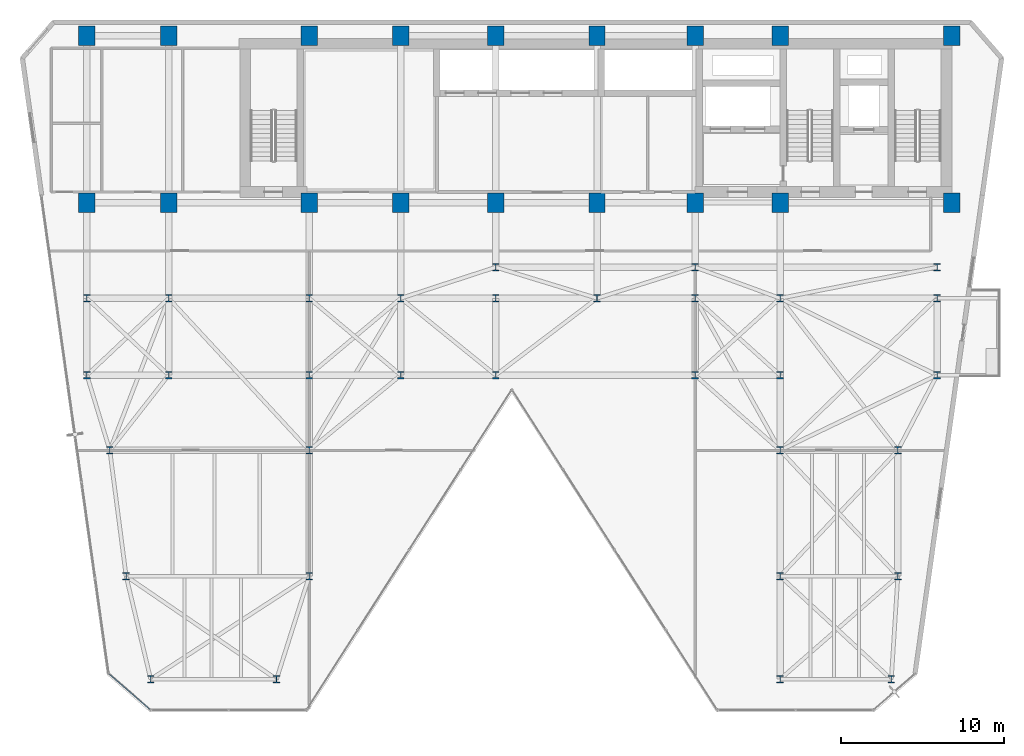
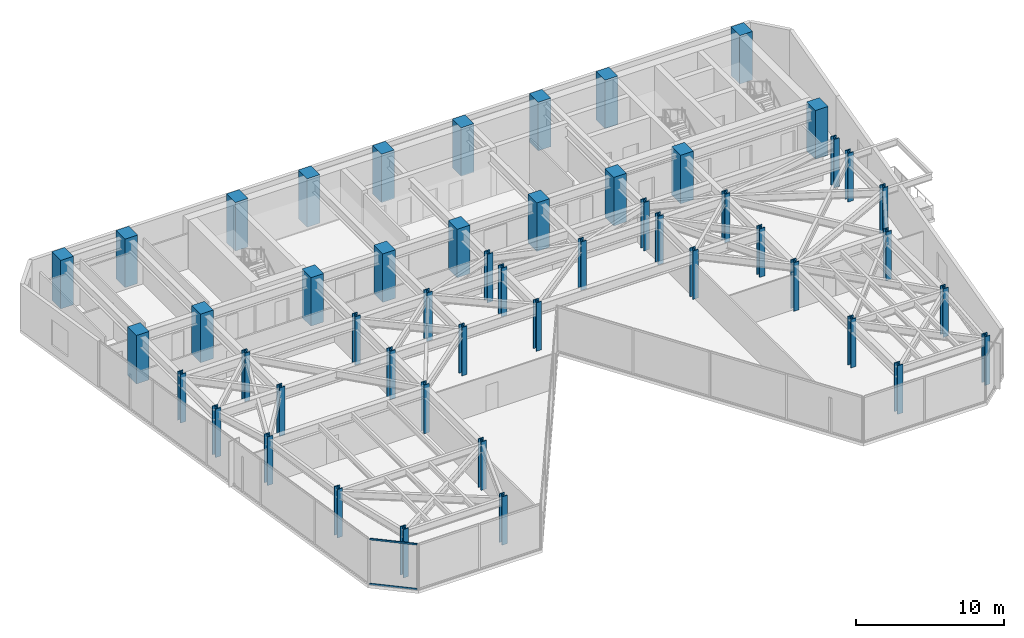
# One storey, part 1 of 26: 50 columns, 2 members, 1 element without a shape of its own.
"""IFC4 building model written with IfcOpenShell, lengths in metres."""

from ifc_helpers import new_model, si_unit, direction, frame, origin, origin_2d, place, context, subcontext, project, spatial, rectangle, hollow_rectangle, i_section, extrude, material, layer, layer_set, material_profile, profile_set, type_object, element, aggregate, save


model = new_model("IFC4")

# Units and contexts
model_context = context("Model", 3, precision=1e-05, world=origin(), true_north=direction((0.0, 1.0)))
body_context = subcontext(model_context, "Body", "Model", "MODEL_VIEW")
ifc_project = project(units=[si_unit("LENGTHUNIT", "METRE"), si_unit("AREAUNIT", "SQUARE_METRE"), si_unit("VOLUMEUNIT", "CUBIC_METRE"), si_unit("PLANEANGLEUNIT", "RADIAN"), si_unit("MASSUNIT", "GRAM", prefix="KILO")], contexts=[model_context])

# Site, building, storey
site_placement = place(None, origin())
site = spatial("IfcSite", under=ifc_project, at=site_placement, CompositionType="ELEMENT")
building_placement = place(site_placement, origin())
building = spatial("IfcBuilding", under=site, at=building_placement, Name="Kravanh Interchange Tower", CompositionType="ELEMENT")
storey_placement = place(building_placement, frame((0.0, 0.0, 148.0)))
storey = spatial("IfcBuildingStorey", under=building, at=storey_placement, Name="L35", CompositionType="ELEMENT", Elevation=148.0)

# Columns
ifc_material_1 = material(Name="Concrete C70/85", Category="concrete")
ifc_material_profile_1 = material_profile(ifc_material_1, rectangle(XDim=1.0, YDim=1.199951171875, at=origin_2d()), Name="RC1000X1200")
ifc_profile_set_1 = profile_set([ifc_material_profile_1], Name="Concrete C70/85")
column_type_1 = type_object("IfcColumnType", Name="Column RC1000X1200 Concrete C70/85", PredefinedType="COLUMN", material=ifc_profile_set_1)
for number, where, z_axis, x_axis, name in (
    (1, (66.5, 47.550048828125, 0.0), (0.0, 0.0, 1.0), (1.0, 0.0, 0.0), "L35 Column CS01"),
    (2, (56.0, 47.550048828125, 0.0), (0.0, 0.0, 1.0), (1.0, 0.0, 0.0), "L35 Column CS02"),
    (3, (66.5, 37.35009765625, 0.0), (0.0, 0.0, 1.0), (1.0, 0.0, 0.0), "L35 Column CS03"),
    (4, (56.0, 37.35009765625, 0.0), (0.0, 0.0, 1.0), (1.0, 0.0, 0.0), "L35 Column CS04"),
    (5, (50.800048828125, 47.550048828125, 0.0), (0.0, 0.0, 1.0), (1.0, 0.0, 0.0), "L35 Column CS05"),
    (6, (50.800048828125, 37.35009765625, 0.0), (0.0, 0.0, 1.0), (1.0, 0.0, 0.0), "L35 Column CS06"),
    (7, (44.800048828125, 37.35009765625, 0.0), (0.0, 0.0, 1.0), (1.0, 0.0, 0.0), "L35 Column CS07"),
    (8, (44.800048828125, 47.550048828125, 0.0), (0.0, 0.0, 1.0), (1.0, 0.0, 0.0), "L35 Column CS08"),
    (9, (38.60009765625, 37.35009765625, 0.0), (0.0, 0.0, 1.0), (1.0, 0.0, 0.0), "L35 Column CS09"),
    (10, (38.60009765625, 47.550048828125, 0.0), (0.0, 0.0, 1.0), (1.0, 0.0, 0.0), "L35 Column CS10"),
    (11, (32.800048828125, 37.35009765625, 0.0), (0.0, 0.0, 1.0), (1.0, 0.0, 0.0), "L35 Column CS11"),
    (12, (32.800048828125, 47.550048828125, 0.0), (0.0, 0.0, 1.0), (1.0, 0.0, 0.0), "L35 Column CS12"),
    (13, (27.199951171875, 37.35009765625, 0.0), (0.0, 0.0, 1.0), (1.0, 0.0, 0.0), "L35 Column CS13"),
    (14, (27.199951171875, 47.550048828125, 0.0), (0.0, 0.0, 1.0), (1.0, 0.0, 0.0), "L35 Column CS14"),
    (15, (18.60009765625, 37.35009765625, 0.0), (0.0, 0.0, 1.0), (1.0, 0.0, 0.0), "L35 Column CS17"),
    (16, (18.60009765625, 47.550048828125, 0.0), (0.0, 0.0, 1.0), (1.0, 0.0, 0.0), "L35 Column CS18"),
    (17, (13.60009765625, 37.35009765625, 0.0), (0.0, 0.0, 1.0), (1.0, 0.0, 0.0), "L35 Column CS19"),
    (18, (13.60009765625, 47.550048828125, 0.0), (0.0, 0.0, 1.0), (1.0, 0.0, 0.0), "L35 Column CS20"),
):
    element("IfcColumn", number, at=place(storey_placement, frame(where, z_axis=z_axis, x_axis=x_axis)), inside=storey, type_object=column_type_1, Name=name, PredefinedType="COLUMN", context=body_context, shape_type="SweptSolid", body=[
        extrude(rectangle(XDim=1.0, YDim=1.199951171875, at=origin_2d()), origin(), (0.0, 0.0, 1.0), 4.0),
    ])
ifc_material_2 = material(Name="Structural Steel S355", Category="steel")
ifc_material_profile_2 = material_profile(ifc_material_2, i_section(OverallWidth=0.416015625, OverallDepth=0.446044921875, WebThickness=0.0390625, FlangeThickness=0.062744140625, FilletRadius=0.030029296875, at=origin_2d()), Name="W14X342")
ifc_profile_set_2 = profile_set([ifc_material_profile_2], Name="Structural Steel S355")
column_type_2 = type_object("IfcColumnType", Name="Column W14X342 Structural Steel S355", PredefinedType="COLUMN", material=ifc_profile_set_2)
for number, where, z_axis, x_axis, name in (
    (19, (17.5, 8.199951171875, 0.0), (0.0, 0.0, 1.0), (1.0, 0.0, 0.0), "L35 Column CZ2_1"),
    (20, (13.60009765625, 26.800048828125, 0.0), (0.0, 0.0, 1.0), (1.0, 0.0, 0.0), "L35 Column CZ2_11"),
    (21, (18.60009765625, 26.800048828125, 0.0), (0.0, 0.0, 1.0), (1.0, 0.0, 0.0), "L35 Column CZ2_12"),
    (22, (27.199951171875, 26.800048828125, 0.0), (0.0, 0.0, 1.0), (1.0, 0.0, 0.0), "L35 Column CZ2_13"),
    (23, (32.800048828125, 26.800048828125, 0.0), (0.0, 0.0, 1.0), (1.0, 0.0, 0.0), "L35 Column CZ2_14"),
    (24, (38.60009765625, 26.800048828125, 0.0), (0.0, 0.0, 1.0), (1.0, 0.0, 0.0), "L35 Column CZ2_14B"),
    (25, (50.800048828125, 26.800048828125, 0.0), (0.0, 0.0, 1.0), (1.0, 0.0, 0.0), "L35 Column CZ2_15"),
    (26, (56.0, 26.800048828125, 0.0), (0.0, 0.0, 1.0), (1.0, 0.0, 0.0), "L35 Column CZ2_16"),
    (27, (65.60009765625, 26.800048828125, 0.0), (0.0, 0.0, 1.0), (1.0, 0.0, 0.0), "L35 Column CZ2_17"),
    (28, (13.60009765625, 31.5, 0.0), (0.0, 0.0, 1.0), (1.0, 0.0, 0.0), "L35 Column CZ2_18"),
    (29, (18.60009765625, 31.5, 0.0), (0.0, 0.0, 1.0), (1.0, 0.0, 0.0), "L35 Column CZ2_18B"),
    (30, (27.199951171875, 31.5, 0.0), (0.0, 0.0, 1.0), (1.0, 0.0, 0.0), "L35 Column CZ2_19"),
    (31, (25.199951171875, 8.199951171875, 0.0), (0.0, 0.0, 1.0), (1.0, 0.0, 0.0), "L35 Column CZ2_2"),
    (32, (32.800048828125, 31.5, 0.0), (0.0, 0.0, 1.0), (1.0, 0.0, 0.0), "L35 Column CZ2_20"),
    (33, (38.60009765625, 31.5, 0.0), (0.0, 0.0, 1.0), (1.0, 0.0, 0.0), "L35 Column CZ2_21"),
    (34, (44.800048828125, 31.5, 0.0), (0.0, 0.0, 1.0), (1.0, 0.0, 0.0), "L35 Column CZ2_22"),
    (35, (50.800048828125, 31.5, 0.0), (0.0, 0.0, 1.0), (1.0, 0.0, 0.0), "L35 Column CZ2_23"),
    (36, (56.0, 31.5, 0.0), (0.0, 0.0, 1.0), (1.0, 0.0, 0.0), "L35 Column CZ2_24"),
    (37, (65.60009765625, 31.5, 0.0), (0.0, 0.0, 1.0), (1.0, 0.0, 0.0), "L35 Column CZ2_25"),
    (38, (56.0, 8.199951171875, 0.0), (0.0, 0.0, 1.0), (1.0, 0.0, 0.0), "L35 Column CZ2_3"),
    (39, (62.800048828125, 8.199951171875, 0.0), (0.0, 0.0, 1.0), (1.0, 0.0, 0.0), "L35 Column CZ2_4"),
    (40, (16.0, 14.5, 0.0), (0.0, 0.0, 1.0), (1.0, 0.0, 0.0), "L35 Column CZ2_5"),
    (41, (27.199951171875, 14.5, 0.0), (0.0, 0.0, 1.0), (1.0, 0.0, 0.0), "L35 Column CZ2_5B"),
    (42, (56.0, 14.5, 0.0), (0.0, 0.0, 1.0), (1.0, 0.0, 0.0), "L35 Column CZ2_5C"),
    (43, (63.199951171875, 14.5, 0.0), (0.0, 0.0, 1.0), (1.0, 0.0, 0.0), "L35 Column CZ2_5D"),
    (44, (15.0, 22.199951171875, 0.0), (0.0, 0.0, 1.0), (1.0, 0.0, 0.0), "L35 Column CZ2_6"),
    (45, (27.199951171875, 22.199951171875, 0.0), (0.0, 0.0, 1.0), (1.0, 0.0, 0.0), "L35 Column CZ2_7"),
    (46, (56.0, 22.199951171875, 0.0), (0.0, 0.0, 1.0), (1.0, 0.0, 0.0), "L35 Column CZ2_8"),
    (47, (63.199951171875, 22.199951171875, 0.0), (0.0, 0.0, 1.0), (1.0, 0.0, 0.0), "L35 Column CZ2_9"),
    (48, (38.60009765625, 33.39990234375, 0.0), (0.0, 0.0, 1.0), (1.0, 0.0, 0.0), "L35 Column CZ2_M1"),
    (49, (50.800048828125, 33.39990234375, 0.0), (0.0, 0.0, 1.0), (1.0, 0.0, 0.0), "L35 Column CZ2_M2"),
    (50, (65.60009765625, 33.39990234375, 0.0), (0.0, 0.0, 1.0), (1.0, 0.0, 0.0), "L35 Column CZ2_M3"),
):
    element("IfcColumn", number, at=place(storey_placement, frame(where, z_axis=z_axis, x_axis=x_axis)), inside=storey, type_object=column_type_2, Name=name, PredefinedType="COLUMN", context=body_context, shape_type="SweptSolid", body=[
        extrude(i_section(OverallWidth=0.416015625, OverallDepth=0.446044921875, WebThickness=0.0390625, FlangeThickness=0.062744140625, FilletRadius=0.030029296875, at=origin_2d()), origin(), (0.0, 0.0, 1.0), 4.0),
    ])

# Curtain wall, members
ifc_material_3 = material(Name="Anodised Bronze Aluminium", Category="aluminium")
ifc_layer = layer(ifc_material_3, 0.179931640625)
ifc_layer_set = layer_set([ifc_layer], Name="Unitised Curtain Wall System CW-Z2 Mid Office")
curtain_wall_type = type_object("IfcCurtainWallType", Name="Unitised Curtain Wall System CW-Z2 Mid Office", PredefinedType="NOTDEFINED", material=ifc_layer_set)
curtain_wall_placement = place(storey_placement, origin())
curtain_wall = element("IfcCurtainWall", 51, at=curtain_wall_placement, inside=storey, type_object=curtain_wall_type, Name="L35 Unitised Curtain Wall CW-L35-07", PredefinedType="NOTDEFINED")
ifc_material_4 = material(Name="Anodised Bronze Aluminium", Category="aluminium")
ifc_material_profile_3 = material_profile(ifc_material_4, hollow_rectangle(XDim=0.06005859375, YDim=0.139892578125, WallThickness=0.00390625, at=origin_2d()), Name="ALU60X140X4")
ifc_profile_set_3 = profile_set([ifc_material_profile_3], Name="Anodised Bronze Aluminium")
member_type = type_object("IfcMemberType", Name="Curtain Wall Transom ALU60X140X4 Bronze", PredefinedType="USERDEFINED", material=ifc_profile_set_3)
member_1_placement = place(storey_placement, frame((17.444580078125, 6.359375, 0.030029296875), z_axis=(-0.754742467432, 0.656021194669, 0.0), x_axis=(-0.656021194669, -0.754742467432, 0.0)))
member_1 = element("IfcMember", 52, at=member_1_placement, type_object=member_type, Name="CW-Z2 transom 1.1", ObjectType="TRANSOM", PredefinedType="USERDEFINED", context=body_context, shape_type="SweptSolid", body=[
    extrude(hollow_rectangle(XDim=0.06005859375, YDim=0.139892578125, WallThickness=0.00390625, at=origin_2d()), origin(), (0.0, 0.0, 1.0), 3.261962890625),
])
member_2_placement = place(storey_placement, frame((17.444580078125, 6.359375, 3.719970703125), z_axis=(-0.754742467432, 0.656021194669, 0.0), x_axis=(-0.656021194669, -0.754742467432, 0.0)))
member_2 = element("IfcMember", 53, at=member_2_placement, type_object=member_type, Name="CW-Z2 transom 1.2", ObjectType="TRANSOM", PredefinedType="USERDEFINED", context=body_context, shape_type="SweptSolid", body=[
    extrude(hollow_rectangle(XDim=0.06005859375, YDim=0.139892578125, WallThickness=0.00390625, at=origin_2d()), origin(), (0.0, 0.0, 1.0), 3.261962890625),
])
aggregate(curtain_wall, [member_1, member_2])

save(model, "model.ifc")
